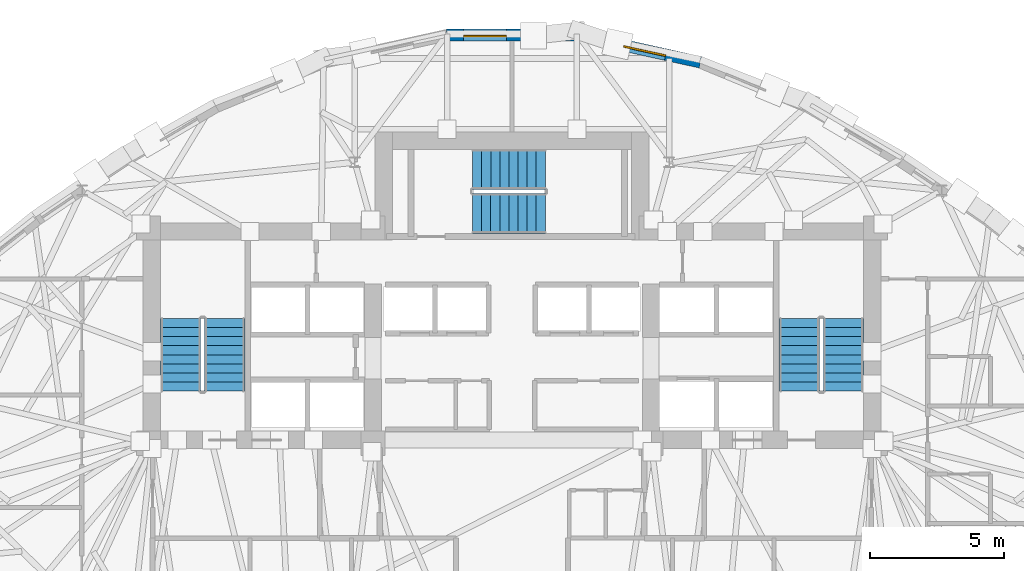
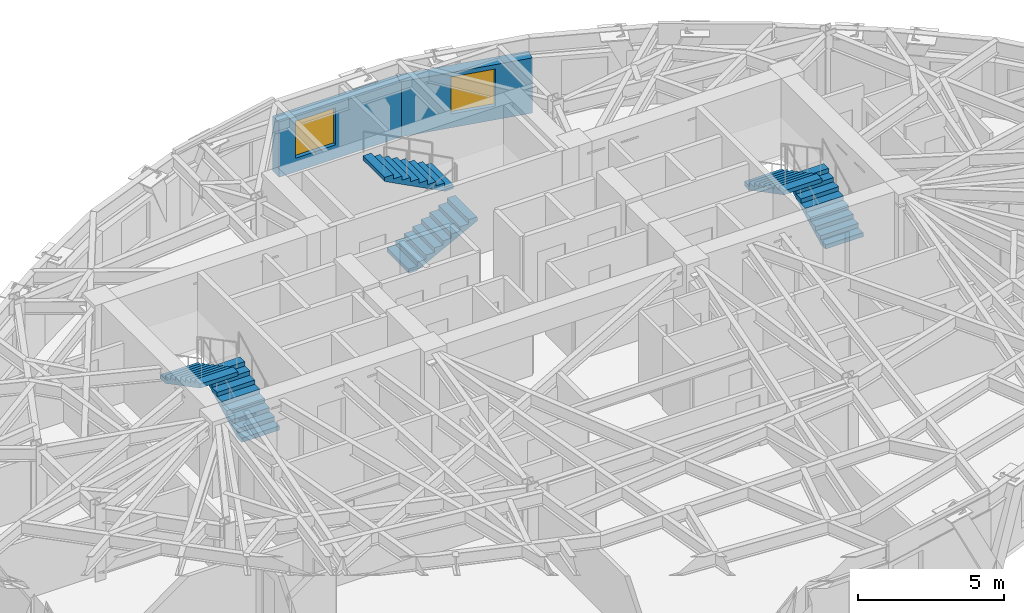
# One storey, part 10 of 14: 6 stair flights, 2 walls, 2 windows, 2 openings, 3 elements without a shape of their own.
"""IFC4 building model written with IfcOpenShell, lengths in metres."""

from ifc_helpers import new_model, si_unit, direction, frame, frame_2d, origin, place, context, subcontext, project, spatial, polyline, rectangle, outline, extrude, material, layer, layer_set, type_object, element, fill, aggregate, save


model = new_model("IFC4")

# Units and contexts
model_context = context("Model", 3, precision=1e-05, world=origin(), true_north=direction((0.0, 1.0)))
body_context = subcontext(model_context, "Body", "Model", "MODEL_VIEW")
ifc_project = project(units=[si_unit("LENGTHUNIT", "METRE"), si_unit("AREAUNIT", "SQUARE_METRE"), si_unit("VOLUMEUNIT", "CUBIC_METRE"), si_unit("PLANEANGLEUNIT", "RADIAN"), si_unit("MASSUNIT", "GRAM", prefix="KILO")], contexts=[model_context])

# Site, building, storey
site_placement = place(None, origin())
site = spatial("IfcSite", under=ifc_project, at=site_placement, CompositionType="ELEMENT")
building_placement = place(site_placement, origin())
building = spatial("IfcBuilding", under=site, at=building_placement, Name="Keldmark Tower", CompositionType="ELEMENT")
storey_placement = place(building_placement, frame((0.0, 0.0, 185.39990234375)))
storey = spatial("IfcBuildingStorey", under=building, at=storey_placement, Name="L51", CompositionType="ELEMENT", Elevation=185.39990234375)

# Wall, opening, window
ifc_material_1 = material(Name="Ironspot Manganese Brick and Kasota Buff Limestone Spandrel Assembly", Category="masonry")
ifc_layer = layer(ifc_material_1, 0.43994140625)
ifc_layer_set = layer_set([ifc_layer], Name="Ironspot Manganese Brick and Kasota Buff Limestone Spandrel Assembly")
wall_type = type_object("IfcWallType", Name="Tower Brick Pier and Spandrel Wall 440 mm", PredefinedType="STANDARD", material=ifc_layer_set)
wall_1_placement = place(storey_placement, frame((2.4072265625, 16.68115234375, 0.0), z_axis=(0.0, 0.0, 1.0), x_axis=(0.976520281828, -0.215425484049, 0.0)))
wall_1 = element("IfcWall", 1, at=wall_1_placement, inside=storey, type_object=wall_type, Name="L51 Exterior Brick and Spandrel Wall 07", PredefinedType="STANDARD", context=body_context, shape_type="SweptSolid", body=[
    extrude(rectangle(XDim=4.7587890625, YDim=0.43994140625, at=frame_2d((2.37939453125, 0.0))), origin(), (0.0, 0.0, 1.0), 2.315185546875),
])
opening_1_placement = place(wall_1_placement, frame((1.82568359375, 0.0, 0.580078125)))
opening_1 = element("IfcOpeningElement", 2, at=opening_1_placement, cuts=wall_1, Name="Opening W-04", PredefinedType="OPENING", context=body_context, shape_type="SweptSolid", body=[
    extrude(rectangle(XDim=1.60009765625, YDim=1.550048828125, at=frame_2d((0.800048828125, 0.77490234375))), frame((0.0, 0.22998046875, 0.0), z_axis=(0.0, -1.0, 0.0), x_axis=(1.0, 0.0, 0.0)), (0.0, 0.0, 1.0), 0.4599609375),
])
ifc_material_2 = material(Name="Thermally Broken Anodized Aluminum and Triple Low-E Argon Glazing", Category="aluminium")
window_type = type_object("IfcWindowType", Name="Hotel Deep-Set Operable Window 1600x1550", PartitioningType="DOUBLE_PANEL_HORIZONTAL", PredefinedType="WINDOW", material=ifc_material_2)
window_1_placement = place(opening_1_placement, origin())
window_1 = element("IfcWindow", 3, at=window_1_placement, inside=storey, type_object=window_type, Name="L51 Deep-Set Window 07", OverallHeight=1.550048828125, OverallWidth=1.60009765625, PartitioningType="SINGLE_PANEL", PredefinedType="WINDOW", context=body_context, shape_type="SweptSolid", body=[
    extrude(rectangle(XDim=1.60009765625, YDim=1.550048828125, at=frame_2d((0.800048828125, 0.77490234375))), frame((0.0, -0.010009765625, 0.0), z_axis=(0.0, -1.0, 0.0), x_axis=(1.0, 0.0, 0.0)), (0.0, 0.0, 1.0), 0.06005859375),
])
fill(opening_1, window_1)

wall_2_placement = place(storey_placement, frame((-2.45458984375, 16.67578125, 0.0), z_axis=(0.0, 0.0, 1.0), x_axis=(1.0, 0.0, 0.0)))
wall_2 = element("IfcWall", 4, at=wall_2_placement, inside=storey, type_object=wall_type, Name="L51 Exterior Brick and Spandrel Wall 08", PredefinedType="STANDARD", context=body_context, shape_type="SweptSolid", body=[
    extrude(rectangle(XDim=4.9091796875, YDim=0.43994140625, at=frame_2d((2.45458984375, 0.0))), origin(), (0.0, 0.0, 1.0), 2.315185546875),
])
opening_2_placement = place(wall_2_placement, frame((0.643798828125, 0.0, 0.580078125)))
opening_2 = element("IfcOpeningElement", 5, at=opening_2_placement, cuts=wall_2, Name="Opening W-04", PredefinedType="OPENING", context=body_context, shape_type="SweptSolid", body=[
    extrude(rectangle(XDim=1.60009765625, YDim=1.550048828125, at=frame_2d((0.800048828125, 0.77490234375))), frame((0.0, 0.22998046875, 0.0), z_axis=(0.0, -1.0, 0.0), x_axis=(1.0, 0.0, 0.0)), (0.0, 0.0, 1.0), 0.4599609375),
])
window_2_placement = place(opening_2_placement, origin())
window_2 = element("IfcWindow", 6, at=window_2_placement, inside=storey, type_object=window_type, Name="L51 Deep-Set Window 08", OverallHeight=1.550048828125, OverallWidth=1.60009765625, PartitioningType="SINGLE_PANEL", PredefinedType="WINDOW", context=body_context, shape_type="SweptSolid", body=[
    extrude(rectangle(XDim=1.60009765625, YDim=1.550048828125, at=frame_2d((0.800048828125, 0.77490234375))), frame((0.0, -0.010009765625, 0.0), z_axis=(0.0, -1.0, 0.0), x_axis=(1.0, 0.0, 0.0)), (0.0, 0.0, 1.0), 0.06005859375),
])
fill(opening_2, window_2)

# Stair, stair flights
ifc_material_3 = material(Name="Concrete C40/50", Category="concrete")
stair_type = type_object("IfcStairType", Name="Precast Concrete Core Exit Stair", PredefinedType="HALF_TURN_STAIR", material=ifc_material_3)
stair_1_placement = place(storey_placement, origin())
stair_1 = element("IfcStair", 7, at=stair_1_placement, inside=storey, type_object=stair_type, Name="L51 Exit Stair ST1", PredefinedType="HALF_TURN_STAIR")
ifc_material_4 = material(Name="Concrete C40/50", Category="concrete")
stair_flight_type = type_object("IfcStairFlightType", Name="Precast Concrete Stair Flight 1500 mm", PredefinedType="STRAIGHT", material=ifc_material_4)
stair_flight_1_placement = place(storey_placement, frame((-10.75, 3.35009765625, 0.0), z_axis=(0.0, 0.0, 1.0), x_axis=(0.0, 1.0, 0.0)))
stair_flight_1 = element("IfcStairFlight", 8, at=stair_flight_1_placement, type_object=stair_flight_type, Name="ST1 flight 1", NumberOfRisers=9, NumberOfTreads=8, PredefinedType="STRAIGHT", RiserHeight=0.177777778, TreadLength=0.34, context=body_context, shape_type="SweptSolid", body=[
    extrude(outline(polyline([(0.0, 0.0), (0.0, 0.177734375), (0.340087890625, 0.177734375), (0.340087890625, 0.35546875), (0.679931640625, 0.35546875), (0.679931640625, 0.533447265625), (1.02001953125, 0.533447265625), (1.02001953125, 0.711181640625), (1.360107421875, 0.711181640625), (1.360107421875, 0.888916015625), (1.699951171875, 0.888916015625), (1.699951171875, 1.066650390625), (2.0400390625, 1.066650390625), (2.0400390625, 1.244384765625), (2.3798828125, 1.244384765625), (2.3798828125, 1.422119140625), (2.719970703125, 1.422119140625), (2.719970703125, 1.60009765625), (2.719970703125, 1.253173828125), (0.323486328125, 0.0), (0.0, 0.0)])), frame((0.0, 0.75, 0.0), z_axis=(0.0, -1.0, 0.0), x_axis=(1.0, 0.0, 0.0)), (0.0, 0.0, 1.0), 1.5),
])
stair_flight_2_placement = place(storey_placement, frame((-12.39990234375, 6.070068359375, 1.60009765625), z_axis=(0.0, 0.0, 1.0), x_axis=(0.0, -1.0, 0.0)))
stair_flight_2 = element("IfcStairFlight", 9, at=stair_flight_2_placement, type_object=stair_flight_type, Name="ST1 flight 2", NumberOfRisers=9, NumberOfTreads=8, PredefinedType="STRAIGHT", RiserHeight=0.177777778, TreadLength=0.34, context=body_context, shape_type="SweptSolid", body=[
    extrude(outline(polyline([(0.0, 0.0), (0.0, 0.177734375), (0.340087890625, 0.177734375), (0.340087890625, 0.35546875), (0.679931640625, 0.35546875), (0.679931640625, 0.533447265625), (1.02001953125, 0.533447265625), (1.02001953125, 0.711181640625), (1.360107421875, 0.711181640625), (1.360107421875, 0.888916015625), (1.699951171875, 0.888916015625), (1.699951171875, 1.066650390625), (2.0400390625, 1.066650390625), (2.0400390625, 1.244384765625), (2.3798828125, 1.244384765625), (2.3798828125, 1.422119140625), (2.719970703125, 1.422119140625), (2.719970703125, 1.60009765625), (2.719970703125, 1.253173828125), (0.323486328125, 0.0), (0.0, 0.0)])), frame((0.0, 0.75, 0.0), z_axis=(0.0, -1.0, 0.0), x_axis=(1.0, 0.0, 0.0)), (0.0, 0.0, 1.0), 1.5),
])
aggregate(stair_1, [stair_flight_1, stair_flight_2])

stair_2_placement = place(storey_placement, origin())
stair_2 = element("IfcStair", 10, at=stair_2_placement, inside=storey, type_object=stair_type, Name="L51 Exit Stair ST2", PredefinedType="HALF_TURN_STAIR")
stair_flight_3_placement = place(storey_placement, frame((12.39990234375, 3.35009765625, 0.0), z_axis=(0.0, 0.0, 1.0), x_axis=(0.0, 1.0, 0.0)))
stair_flight_3 = element("IfcStairFlight", 11, at=stair_flight_3_placement, type_object=stair_flight_type, Name="ST2 flight 1", NumberOfRisers=9, NumberOfTreads=8, PredefinedType="STRAIGHT", RiserHeight=0.177777778, TreadLength=0.34, context=body_context, shape_type="SweptSolid", body=[
    extrude(outline(polyline([(0.0, 0.0), (0.0, 0.177734375), (0.340087890625, 0.177734375), (0.340087890625, 0.35546875), (0.679931640625, 0.35546875), (0.679931640625, 0.533447265625), (1.02001953125, 0.533447265625), (1.02001953125, 0.711181640625), (1.360107421875, 0.711181640625), (1.360107421875, 0.888916015625), (1.699951171875, 0.888916015625), (1.699951171875, 1.066650390625), (2.0400390625, 1.066650390625), (2.0400390625, 1.244384765625), (2.3798828125, 1.244384765625), (2.3798828125, 1.422119140625), (2.719970703125, 1.422119140625), (2.719970703125, 1.60009765625), (2.719970703125, 1.253173828125), (0.323486328125, 0.0), (0.0, 0.0)])), frame((0.0, 0.75, 0.0), z_axis=(0.0, -1.0, 0.0), x_axis=(1.0, 0.0, 0.0)), (0.0, 0.0, 1.0), 1.5),
])
stair_flight_4_placement = place(storey_placement, frame((10.75, 6.070068359375, 1.60009765625), z_axis=(0.0, 0.0, 1.0), x_axis=(0.0, -1.0, 0.0)))
stair_flight_4 = element("IfcStairFlight", 12, at=stair_flight_4_placement, type_object=stair_flight_type, Name="ST2 flight 2", NumberOfRisers=9, NumberOfTreads=8, PredefinedType="STRAIGHT", RiserHeight=0.177777778, TreadLength=0.34, context=body_context, shape_type="SweptSolid", body=[
    extrude(outline(polyline([(0.0, 0.0), (0.0, 0.177734375), (0.340087890625, 0.177734375), (0.340087890625, 0.35546875), (0.679931640625, 0.35546875), (0.679931640625, 0.533447265625), (1.02001953125, 0.533447265625), (1.02001953125, 0.711181640625), (1.360107421875, 0.711181640625), (1.360107421875, 0.888916015625), (1.699951171875, 0.888916015625), (1.699951171875, 1.066650390625), (2.0400390625, 1.066650390625), (2.0400390625, 1.244384765625), (2.3798828125, 1.244384765625), (2.3798828125, 1.422119140625), (2.719970703125, 1.422119140625), (2.719970703125, 1.60009765625), (2.719970703125, 1.253173828125), (0.323486328125, 0.0), (0.0, 0.0)])), frame((0.0, 0.75, 0.0), z_axis=(0.0, -1.0, 0.0), x_axis=(1.0, 0.0, 0.0)), (0.0, 0.0, 1.0), 1.5),
])
aggregate(stair_2, [stair_flight_3, stair_flight_4])

stair_3_placement = place(storey_placement, origin())
stair_3 = element("IfcStair", 13, at=stair_3_placement, inside=storey, type_object=stair_type, Name="L51 Exit Stair ST3", PredefinedType="HALF_TURN_STAIR")
stair_flight_5_placement = place(storey_placement, frame((-1.47509765625, 10.0, 0.0), z_axis=(0.0, 0.0, 1.0), x_axis=(1.0, 0.0, 0.0)))
stair_flight_5 = element("IfcStairFlight", 14, at=stair_flight_5_placement, type_object=stair_flight_type, Name="ST3 flight 1", NumberOfRisers=9, NumberOfTreads=8, PredefinedType="STRAIGHT", RiserHeight=0.177777778, TreadLength=0.34, context=body_context, shape_type="SweptSolid", body=[
    extrude(outline(polyline([(0.0, 0.0), (0.0, 0.177734375), (0.340087890625, 0.177734375), (0.340087890625, 0.35546875), (0.679931640625, 0.35546875), (0.679931640625, 0.533447265625), (1.02001953125, 0.533447265625), (1.02001953125, 0.711181640625), (1.360107421875, 0.711181640625), (1.360107421875, 0.888916015625), (1.699951171875, 0.888916015625), (1.699951171875, 1.066650390625), (2.0400390625, 1.066650390625), (2.0400390625, 1.244384765625), (2.3798828125, 1.244384765625), (2.3798828125, 1.422119140625), (2.719970703125, 1.422119140625), (2.719970703125, 1.60009765625), (2.719970703125, 1.253173828125), (0.323486328125, 0.0), (0.0, 0.0)])), frame((0.0, 0.75, 0.0), z_axis=(0.0, -1.0, 0.0), x_axis=(1.0, 0.0, 0.0)), (0.0, 0.0, 1.0), 1.5),
])
stair_flight_6_placement = place(storey_placement, frame((1.2451171875, 11.64990234375, 1.60009765625), z_axis=(0.0, 0.0, 1.0), x_axis=(-1.0, 0.0, 0.0)))
stair_flight_6 = element("IfcStairFlight", 15, at=stair_flight_6_placement, type_object=stair_flight_type, Name="ST3 flight 2", NumberOfRisers=9, NumberOfTreads=8, PredefinedType="STRAIGHT", RiserHeight=0.177777778, TreadLength=0.34, context=body_context, shape_type="SweptSolid", body=[
    extrude(outline(polyline([(0.0, 0.0), (0.0, 0.177734375), (0.340087890625, 0.177734375), (0.340087890625, 0.35546875), (0.679931640625, 0.35546875), (0.679931640625, 0.533447265625), (1.02001953125, 0.533447265625), (1.02001953125, 0.711181640625), (1.360107421875, 0.711181640625), (1.360107421875, 0.888916015625), (1.699951171875, 0.888916015625), (1.699951171875, 1.066650390625), (2.0400390625, 1.066650390625), (2.0400390625, 1.244384765625), (2.3798828125, 1.244384765625), (2.3798828125, 1.422119140625), (2.719970703125, 1.422119140625), (2.719970703125, 1.60009765625), (2.719970703125, 1.253173828125), (0.323486328125, 0.0), (0.0, 0.0)])), frame((0.0, 0.75, 0.0), z_axis=(0.0, -1.0, 0.0), x_axis=(1.0, 0.0, 0.0)), (0.0, 0.0, 1.0), 1.5),
])
aggregate(stair_3, [stair_flight_5, stair_flight_6])

save(model, "model.ifc")
